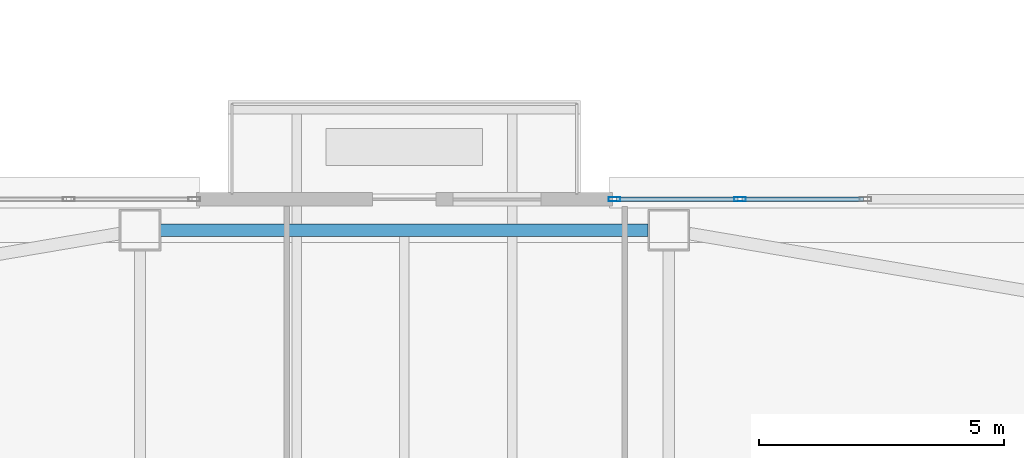
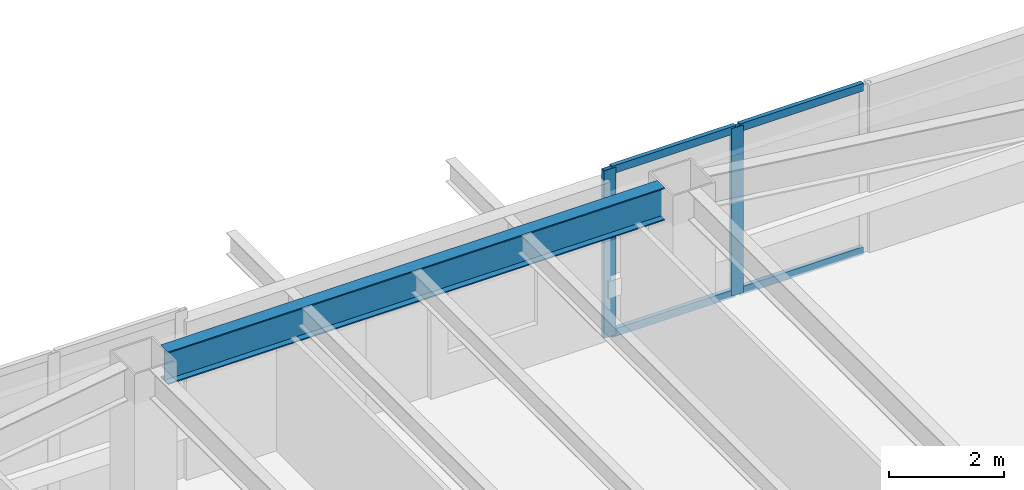
# One storey, part 16 of 51: 6 members, 1 beam, 1 element without a shape of its own.
"""IFC4 building model written with IfcOpenShell, lengths in metres."""

from ifc_helpers import new_model, si_unit, direction, frame, origin, origin_2d, place, context, subcontext, project, spatial, hollow_rectangle, i_section, extrude, material, material_profile, profile_set, type_object, element, aggregate, save


model = new_model("IFC4")

# Units and contexts
model_context = context("Model", 3, precision=1e-05, world=origin(), true_north=direction((0.0, 1.0)))
body_context = subcontext(model_context, "Body", "Model", "MODEL_VIEW")
ifc_project = project(units=[si_unit("LENGTHUNIT", "METRE"), si_unit("AREAUNIT", "SQUARE_METRE"), si_unit("VOLUMEUNIT", "CUBIC_METRE"), si_unit("PLANEANGLEUNIT", "RADIAN"), si_unit("MASSUNIT", "GRAM", prefix="KILO")], contexts=[model_context])

# Site, building, storey
site_placement = place(None, origin())
site = spatial("IfcSite", under=ifc_project, at=site_placement, CompositionType="ELEMENT")
building_placement = place(site_placement, origin())
building = spatial("IfcBuilding", under=site, at=building_placement, Name="Tashvorn Skyway Center", CompositionType="ELEMENT")
storey_placement = place(building_placement, frame((0.0, 0.0, 49.449951171875)))
storey = spatial("IfcBuildingStorey", under=building, at=storey_placement, Name="L12", CompositionType="ELEMENT", Elevation=49.449951171875)

# Beam
ifc_material_1 = material(Name="Steel ASTM A992 Grade 50", Category="steel")
ifc_material_profile_1 = material_profile(ifc_material_1, i_section(OverallWidth=0.256103515625, OverallDepth=0.693115234375, WebThickness=0.014404296875, FlangeThickness=0.023681640625, at=origin_2d()), Name="W27X114")
ifc_profile_set_1 = profile_set([ifc_material_profile_1], Name="Steel ASTM A992 Grade 50")
beam_type = type_object("IfcBeamType", Name="BM-SPANDREL-W27X114", PredefinedType="SPANDREL", material=ifc_profile_set_1)
beam_placement = place(storey_placement, frame((46.97998046875, 54.25, 3.003662109375), z_axis=(-1.0, 0.0, 0.0), x_axis=(0.0, -1.0, 0.0)))
element("IfcBeam", 1, at=beam_placement, inside=storey, type_object=beam_type, Name="Tower 1 L12 Spandrel Beam 08", PredefinedType="SPANDREL", context=body_context, shape_type="SweptSolid", body=[
    extrude(i_section(OverallWidth=0.256103515625, OverallDepth=0.693115234375, WebThickness=0.014404296875, FlangeThickness=0.023681640625, at=origin_2d()), origin(), (0.0, 0.0, 1.0), 9.9599609375),
])

# Curtain wall, members
ifc_material_2 = material(Name="Thermally broken bronze-anodized aluminium 6063-T6", Category="aluminium")
curtain_wall_type = type_object("IfcCurtainWallType", Name="CW-CW-Z1", PredefinedType="NOTDEFINED", material=ifc_material_2)
curtain_wall_placement = place(storey_placement, origin())
curtain_wall = element("IfcCurtainWall", 2, at=curtain_wall_placement, inside=storey, type_object=curtain_wall_type, Name="Tower 1 L12 North Curtain Wall R Glazing Group 1", PredefinedType="NOTDEFINED")
ifc_material_profile_2 = material_profile(ifc_material_2, hollow_rectangle(XDim=0.0849609375, YDim=0.239990234375, WallThickness=0.0048828125, at=origin_2d()), Name="ALU-MULL-85x240")
ifc_profile_set_2 = profile_set([ifc_material_profile_2], Name="Thermally broken bronze-anodized aluminium 6063-T6")
member_type_1 = type_object("IfcMemberType", Name="CWM-CW-Z1", PredefinedType="MULLION", material=ifc_profile_set_2)
member_1_placement = place(storey_placement, frame((46.29248046875, 54.8798828125, 0.0), z_axis=(0.0, 0.0, 1.0), x_axis=(0.0, 1.0, 0.0)))
member_1 = element("IfcMember", 3, at=member_1_placement, type_object=member_type_1, Name="CW-Z1 mullion 1", PredefinedType="MULLION", context=body_context, shape_type="SweptSolid", body=[
    extrude(hollow_rectangle(XDim=0.0849609375, YDim=0.239990234375, WallThickness=0.0048828125, at=origin_2d()), origin(), (0.0, 0.0, 1.0), 3.550048828125),
])
member_2_placement = place(storey_placement, frame((48.85498046875, 54.8798828125, 0.0), z_axis=(0.0, 0.0, 1.0), x_axis=(0.0, 1.0, 0.0)))
member_2 = element("IfcMember", 4, at=member_2_placement, type_object=member_type_1, Name="CW-Z1 mullion 2", PredefinedType="MULLION", context=body_context, shape_type="SweptSolid", body=[
    extrude(hollow_rectangle(XDim=0.0849609375, YDim=0.239990234375, WallThickness=0.0048828125, at=origin_2d()), origin(), (0.0, 0.0, 1.0), 3.550048828125),
])
ifc_material_profile_3 = material_profile(ifc_material_2, hollow_rectangle(XDim=0.0849609375, YDim=0.1650390625, WallThickness=0.0048828125, at=origin_2d()), Name="ALU-TRAN-85x165")
ifc_profile_set_3 = profile_set([ifc_material_profile_3], Name="Thermally broken bronze-anodized aluminium 6063-T6")
member_type_2 = type_object("IfcMemberType", Name="CWT-CW-Z1", PredefinedType="USERDEFINED", material=ifc_profile_set_3)
member_3_placement = place(storey_placement, frame((46.3349609375, 54.8798828125, 0.04248046875), z_axis=(1.0, 0.0, 0.0), x_axis=(0.0, 1.0, 0.0)))
member_3 = element("IfcMember", 5, at=member_3_placement, type_object=member_type_2, Name="CW-Z1 transom 1.1", ObjectType="TRANSOM", PredefinedType="USERDEFINED", context=body_context, shape_type="SweptSolid", body=[
    extrude(hollow_rectangle(XDim=0.0849609375, YDim=0.1650390625, WallThickness=0.0048828125, at=origin_2d()), origin(), (0.0, 0.0, 1.0), 2.4775390625),
])
member_4_placement = place(storey_placement, frame((46.3349609375, 54.8798828125, 3.507568359375), z_axis=(1.0, 0.0, 0.0), x_axis=(0.0, 1.0, 0.0)))
member_4 = element("IfcMember", 6, at=member_4_placement, type_object=member_type_2, Name="CW-Z1 transom 1.2", ObjectType="TRANSOM", PredefinedType="USERDEFINED", context=body_context, shape_type="SweptSolid", body=[
    extrude(hollow_rectangle(XDim=0.0849609375, YDim=0.1650390625, WallThickness=0.0048828125, at=origin_2d()), origin(), (0.0, 0.0, 1.0), 2.4775390625),
])
member_5_placement = place(storey_placement, frame((48.8974609375, 54.8798828125, 0.04248046875), z_axis=(1.0, 0.0, 0.0), x_axis=(0.0, 1.0, 0.0)))
member_5 = element("IfcMember", 7, at=member_5_placement, type_object=member_type_2, Name="CW-Z1 transom 2.1", ObjectType="TRANSOM", PredefinedType="USERDEFINED", context=body_context, shape_type="SweptSolid", body=[
    extrude(hollow_rectangle(XDim=0.0849609375, YDim=0.1650390625, WallThickness=0.0048828125, at=origin_2d()), origin(), (0.0, 0.0, 1.0), 2.4775390625),
])
member_6_placement = place(storey_placement, frame((48.8974609375, 54.8798828125, 3.507568359375), z_axis=(1.0, 0.0, 0.0), x_axis=(0.0, 1.0, 0.0)))
member_6 = element("IfcMember", 8, at=member_6_placement, type_object=member_type_2, Name="CW-Z1 transom 2.2", ObjectType="TRANSOM", PredefinedType="USERDEFINED", context=body_context, shape_type="SweptSolid", body=[
    extrude(hollow_rectangle(XDim=0.0849609375, YDim=0.1650390625, WallThickness=0.0048828125, at=origin_2d()), origin(), (0.0, 0.0, 1.0), 2.4775390625),
])
aggregate(curtain_wall, [member_1, member_2, member_3, member_4, member_5, member_6])

save(model, "model.ifc")
